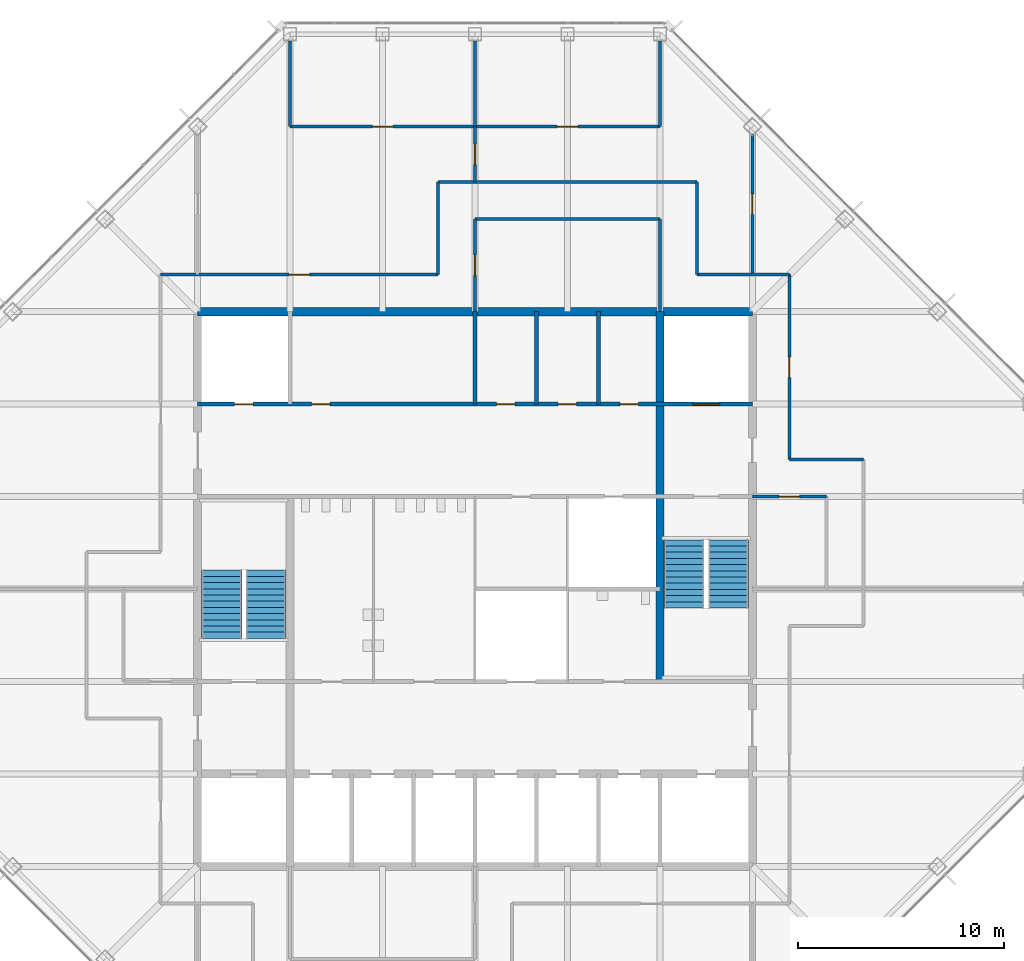
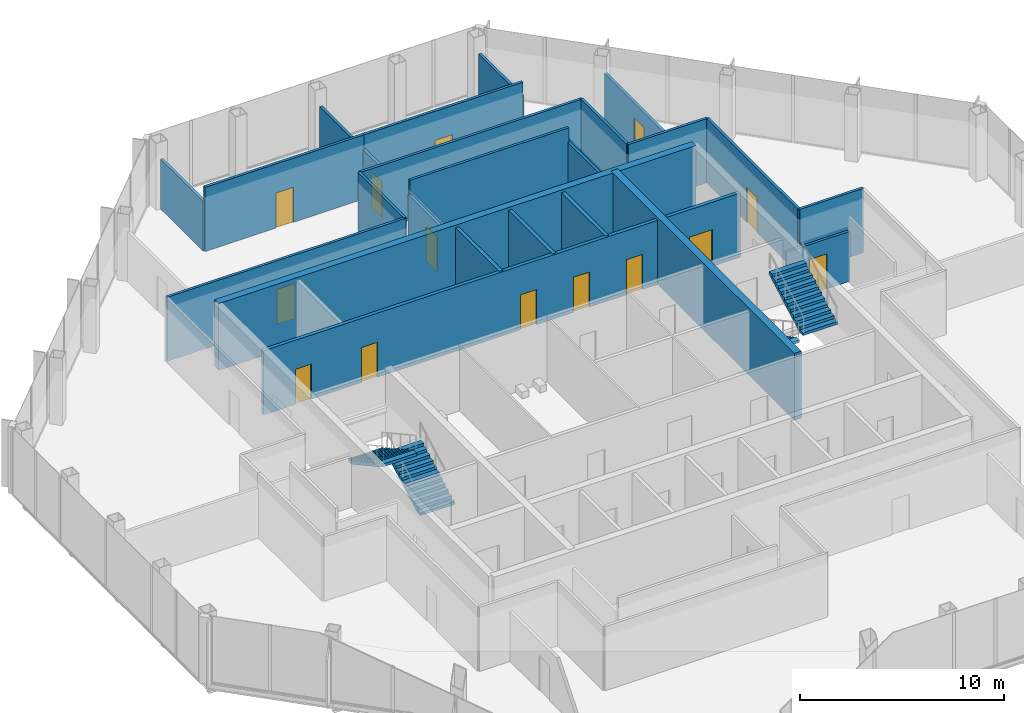
# One storey, part 11 of 13: 24 walls, 14 doors, 4 stair flights, 14 openings, 2 elements without a shape of their own.
"""IFC4 building model written with IfcOpenShell, lengths in metres."""

from ifc_helpers import new_model, si_unit, direction, frame, frame_2d, origin, place, context, subcontext, project, spatial, polyline, rectangle, outline, extrude, material, layer, layer_set, type_object, element, fill, aggregate, save


model = new_model("IFC4")

# Units and contexts
model_context = context("Model", 3, precision=1e-05, world=origin(), true_north=direction((0.0, 1.0)))
body_context = subcontext(model_context, "Body", "Model", "MODEL_VIEW")
ifc_project = project(units=[si_unit("LENGTHUNIT", "METRE"), si_unit("AREAUNIT", "SQUARE_METRE"), si_unit("VOLUMEUNIT", "CUBIC_METRE"), si_unit("PLANEANGLEUNIT", "RADIAN"), si_unit("MASSUNIT", "GRAM", prefix="KILO")], contexts=[model_context])

# Site, building, storey
site_placement = place(None, origin())
site = spatial("IfcSite", under=ifc_project, at=site_placement, CompositionType="ELEMENT")
building_placement = place(site_placement, origin())
building = spatial("IfcBuilding", under=site, at=building_placement, Name="Corais Broadcast Tower", CompositionType="ELEMENT")
storey_placement = place(building_placement, frame((0.0, 0.0, 238.60009765625)))
storey = spatial("IfcBuildingStorey", under=building, at=storey_placement, Name="L55", CompositionType="ELEMENT", Elevation=238.60009765625)

# Walls
ifc_material_1 = material(Name="Concrete C50/60", Category="concrete")
ifc_layer_1 = layer(ifc_material_1, 0.39990234375)
ifc_layer_set_1 = layer_set([ifc_layer_1], Name="Concrete C50/60")
wall_type_1 = type_object("IfcWallType", Name="Core wall 400", PredefinedType="SHEAR", material=ifc_layer_set_1)
wall_1_placement = place(storey_placement, frame((40.5, 40.5, 0.0), z_axis=(0.0, 0.0, 1.0), x_axis=(-1.0, 0.0, 0.0)))
element("IfcWall", 1, at=wall_1_placement, inside=storey, type_object=wall_type_1, Name="CR400 core wall N L55", PredefinedType="SHEAR", context=body_context, shape_type="SweptSolid", body=[
    extrude(rectangle(XDim=27.0, YDim=0.39990234375, at=frame_2d((13.5, 0.0))), origin(), (0.0, 0.0, 1.0), 4.0),
])
wall_2_placement = place(storey_placement, frame((36.0, 22.5, 0.0), z_axis=(0.0, 0.0, 1.0), x_axis=(0.0, 1.0, 0.0)))
element("IfcWall", 2, at=wall_2_placement, inside=storey, type_object=wall_type_1, Name="CR400 core wall X36B L55", PredefinedType="SHEAR", context=body_context, shape_type="SweptSolid", body=[
    extrude(rectangle(XDim=18.0, YDim=0.39990234375, at=frame_2d((9.0, 0.0))), origin(), (0.0, 0.0, 1.0), 4.0),
])

# Wall, openings, doors
ifc_material_2 = material(Name="Concrete blockwork class A, grouted, four-hour", Category="masonry")
ifc_layer_2 = layer(ifc_material_2, 0.199951171875)
ifc_layer_set_2 = layer_set([ifc_layer_2], Name="Concrete blockwork class A, grouted, four-hour")
wall_type_2 = type_object("IfcWallType", Name="Emergency lift shaft wall 200", PredefinedType="SOLIDWALL", material=ifc_layer_set_2)
wall_3_placement = place(storey_placement, frame((13.5, 36.0, 0.0), z_axis=(0.0, 0.0, 1.0), x_axis=(1.0, 0.0, 0.0)))
wall_3 = element("IfcWall", 3, at=wall_3_placement, inside=storey, type_object=wall_type_2, Name="LS3 core lobby wall Y36 L55", PredefinedType="SOLIDWALL", context=body_context, shape_type="SweptSolid", body=[
    extrude(rectangle(XDim=27.0, YDim=0.199951171875, at=frame_2d((13.5, 0.0))), origin(), (0.0, 0.0, 1.0), 3.83984375),
])
opening_1_placement = place(wall_3_placement, frame((1.800048828125, 0.0, 0.0)))
opening_1 = element("IfcOpeningElement", 4, at=opening_1_placement, cuts=wall_3, Name="Opening RD1", PredefinedType="OPENING", context=body_context, shape_type="SweptSolid", body=[
    extrude(rectangle(XDim=0.89990234375, YDim=2.10009765625, at=frame_2d((0.449951171875, 1.050048828125))), frame((0.0, 0.10986328125, 0.0), z_axis=(0.0, -1.0, 0.0), x_axis=(1.0, 0.0, 0.0)), (0.0, 0.0, 1.0), 0.219970703125),
])
opening_2_placement = place(wall_3_placement, frame((5.550048828125, 0.0, 0.0)))
opening_2 = element("IfcOpeningElement", 5, at=opening_2_placement, cuts=wall_3, Name="Opening RD1", PredefinedType="OPENING", context=body_context, shape_type="SweptSolid", body=[
    extrude(rectangle(XDim=0.89990234375, YDim=2.10009765625, at=frame_2d((0.449951171875, 1.050048828125))), frame((0.0, 0.10986328125, 0.0), z_axis=(0.0, -1.0, 0.0), x_axis=(1.0, 0.0, 0.0)), (0.0, 0.0, 1.0), 0.219970703125),
])
opening_3_placement = place(wall_3_placement, frame((14.550048828125, 0.0, 0.0)))
opening_3 = element("IfcOpeningElement", 6, at=opening_3_placement, cuts=wall_3, Name="Opening RD1", PredefinedType="OPENING", context=body_context, shape_type="SweptSolid", body=[
    extrude(rectangle(XDim=0.89990234375, YDim=2.10009765625, at=frame_2d((0.449951171875, 1.050048828125))), frame((0.0, 0.10986328125, 0.0), z_axis=(0.0, -1.0, 0.0), x_axis=(1.0, 0.0, 0.0)), (0.0, 0.0, 1.0), 0.219970703125),
])
opening_4_placement = place(wall_3_placement, frame((17.550048828125, 0.0, 0.0)))
opening_4 = element("IfcOpeningElement", 7, at=opening_4_placement, cuts=wall_3, Name="Opening RD1", PredefinedType="OPENING", context=body_context, shape_type="SweptSolid", body=[
    extrude(rectangle(XDim=0.89990234375, YDim=2.10009765625, at=frame_2d((0.449951171875, 1.050048828125))), frame((0.0, 0.10986328125, 0.0), z_axis=(0.0, -1.0, 0.0), x_axis=(1.0, 0.0, 0.0)), (0.0, 0.0, 1.0), 0.219970703125),
])
opening_5_placement = place(wall_3_placement, frame((20.550048828125, 0.0, 0.0)))
opening_5 = element("IfcOpeningElement", 8, at=opening_5_placement, cuts=wall_3, Name="Opening RD1", PredefinedType="OPENING", context=body_context, shape_type="SweptSolid", body=[
    extrude(rectangle(XDim=0.89990234375, YDim=2.10009765625, at=frame_2d((0.449951171875, 1.050048828125))), frame((0.0, 0.10986328125, 0.0), z_axis=(0.0, -1.0, 0.0), x_axis=(1.0, 0.0, 0.0)), (0.0, 0.0, 1.0), 0.219970703125),
])
opening_6_placement = place(wall_3_placement, frame((24.10009765625, 0.0, 0.0)))
opening_6 = element("IfcOpeningElement", 9, at=opening_6_placement, cuts=wall_3, Name="Opening LD2", PredefinedType="OPENING", context=body_context, shape_type="SweptSolid", body=[
    extrude(rectangle(XDim=1.300048828125, YDim=2.199951171875, at=frame_2d((0.64990234375, 1.10009765625))), frame((0.0, 0.10986328125, 0.0), z_axis=(0.0, -1.0, 0.0), x_axis=(1.0, 0.0, 0.0)), (0.0, 0.0, 1.0), 0.219970703125),
])
ifc_material_3 = material(Name="Stainless steel lift door", Category="steel")
door_type_1 = type_object("IfcDoorType", Name="Lift landing door 1300x2200", OperationType="SLIDING_TO_LEFT", PredefinedType="DOOR", material=ifc_material_3)
door_1_placement = place(opening_6_placement, origin())
door_1 = element("IfcDoor", 10, at=door_1_placement, inside=storey, type_object=door_type_1, Name="LD2 FL2 landing door L55", OperationType="SLIDING_TO_LEFT", OverallHeight=2.199951171875, OverallWidth=1.300048828125, PredefinedType="DOOR", context=body_context, shape_type="SweptSolid", body=[
    extrude(rectangle(XDim=1.300048828125, YDim=2.199951171875, at=frame_2d((0.64990234375, 1.10009765625))), frame((0.0, 0.02490234375, 0.0), z_axis=(0.0, -1.0, 0.0), x_axis=(1.0, 0.0, 0.0)), (0.0, 0.0, 1.0), 0.050048828125),
])
fill(opening_6, door_1)
ifc_material_4 = material(Name="Steel fire door", Category="steel")
door_type_2 = type_object("IfcDoorType", Name="Riser door 900x2100", OperationType="SINGLE_SWING_LEFT", PredefinedType="DOOR", material=ifc_material_4)
door_2_placement = place(opening_1_placement, origin())
door_2 = element("IfcDoor", 11, at=door_2_placement, inside=storey, type_object=door_type_2, Name="RD1 riser door L55", OperationType="SINGLE_SWING_LEFT", OverallHeight=2.10009765625, OverallWidth=0.89990234375, PredefinedType="DOOR", context=body_context, shape_type="SweptSolid", body=[
    extrude(rectangle(XDim=0.89990234375, YDim=2.10009765625, at=frame_2d((0.449951171875, 1.050048828125))), frame((0.0, 0.02490234375, 0.0), z_axis=(0.0, -1.0, 0.0), x_axis=(1.0, 0.0, 0.0)), (0.0, 0.0, 1.0), 0.050048828125),
])
fill(opening_1, door_2)
door_3_placement = place(opening_2_placement, origin())
door_3 = element("IfcDoor", 12, at=door_3_placement, inside=storey, type_object=door_type_2, Name="RD1 print room door L55", OperationType="SINGLE_SWING_LEFT", OverallHeight=2.10009765625, OverallWidth=0.89990234375, PredefinedType="DOOR", context=body_context, shape_type="SweptSolid", body=[
    extrude(rectangle(XDim=0.89990234375, YDim=2.10009765625, at=frame_2d((0.449951171875, 1.050048828125))), frame((0.0, 0.02490234375, 0.0), z_axis=(0.0, -1.0, 0.0), x_axis=(1.0, 0.0, 0.0)), (0.0, 0.0, 1.0), 0.050048828125),
])
fill(opening_2, door_3)
door_4_placement = place(opening_3_placement, origin())
door_4 = element("IfcDoor", 13, at=door_4_placement, inside=storey, type_object=door_type_2, Name="RD1 wellness room door L55", OperationType="SINGLE_SWING_RIGHT", OverallHeight=2.10009765625, OverallWidth=0.89990234375, PredefinedType="DOOR", context=body_context, shape_type="SweptSolid", body=[
    extrude(rectangle(XDim=0.89990234375, YDim=2.10009765625, at=frame_2d((0.449951171875, 1.050048828125))), frame((0.0, 0.02490234375, 0.0), z_axis=(0.0, -1.0, 0.0), x_axis=(1.0, 0.0, 0.0)), (0.0, 0.0, 1.0), 0.050048828125),
])
fill(opening_3, door_4)
door_5_placement = place(opening_4_placement, origin())
door_5 = element("IfcDoor", 14, at=door_5_placement, inside=storey, type_object=door_type_2, Name="RD1 first aid room door L55", OperationType="SINGLE_SWING_RIGHT", OverallHeight=2.10009765625, OverallWidth=0.89990234375, PredefinedType="DOOR", context=body_context, shape_type="SweptSolid", body=[
    extrude(rectangle(XDim=0.89990234375, YDim=2.10009765625, at=frame_2d((0.449951171875, 1.050048828125))), frame((0.0, 0.02490234375, 0.0), z_axis=(0.0, -1.0, 0.0), x_axis=(1.0, 0.0, 0.0)), (0.0, 0.0, 1.0), 0.050048828125),
])
fill(opening_4, door_5)
door_6_placement = place(opening_5_placement, origin())
door_6 = element("IfcDoor", 15, at=door_6_placement, inside=storey, type_object=door_type_2, Name="RD1 stationery store door L55", OperationType="SINGLE_SWING_RIGHT", OverallHeight=2.10009765625, OverallWidth=0.89990234375, PredefinedType="DOOR", context=body_context, shape_type="SweptSolid", body=[
    extrude(rectangle(XDim=0.89990234375, YDim=2.10009765625, at=frame_2d((0.449951171875, 1.050048828125))), frame((0.0, 0.02490234375, 0.0), z_axis=(0.0, -1.0, 0.0), x_axis=(1.0, 0.0, 0.0)), (0.0, 0.0, 1.0), 0.050048828125),
])
fill(opening_5, door_6)

# Wall, opening, door
ifc_material_5 = material(Name="Gypsum board on steel studs", Category="steel")
ifc_layer_3 = layer(ifc_material_5, 0.14990234375)
ifc_layer_set_3 = layer_set([ifc_layer_3], Name="Gypsum board on steel studs")
wall_type_3 = type_object("IfcWallType", Name="Partition 150", PredefinedType="PARTITIONING", material=ifc_layer_set_3)
wall_4_placement = place(storey_placement, frame((25.199951171875, 42.300048828125, 0.0), z_axis=(0.0, 0.0, 1.0), x_axis=(-1.0, 0.0, 0.0)))
wall_4 = element("IfcWall", 16, at=wall_4_placement, inside=storey, type_object=wall_type_3, Name="IW3 corridor wall L55", PredefinedType="PARTITIONING", context=body_context, shape_type="SweptSolid", body=[
    extrude(rectangle(XDim=13.5, YDim=0.14990234375, at=frame_2d((6.75, 0.0))), origin(), (0.0, 0.0, 1.0), 3.83984375),
])
opening_7_placement = place(wall_4_placement, frame((6.25, 0.0, 0.0)))
opening_7 = element("IfcOpeningElement", 17, at=opening_7_placement, cuts=wall_4, Name="Opening D1", PredefinedType="OPENING", context=body_context, shape_type="SweptSolid", body=[
    extrude(rectangle(XDim=1.0, YDim=2.10009765625, at=frame_2d((0.5, 1.050048828125))), frame((0.0, 0.0849609375, 0.0), z_axis=(0.0, -1.0, 0.0), x_axis=(1.0, 0.0, 0.0)), (0.0, 0.0, 1.0), 0.169921875),
])
ifc_material_6 = material(Name="Timber door", Category="wood")
door_type_3 = type_object("IfcDoorType", Name="Single door 1000x2100", OperationType="SINGLE_SWING_LEFT", PredefinedType="DOOR", material=ifc_material_6)
door_7_placement = place(opening_7_placement, origin())
door_7 = element("IfcDoor", 18, at=door_7_placement, inside=storey, type_object=door_type_3, Name="D1 workplace door L55", OperationType="SINGLE_SWING_LEFT", OverallHeight=2.10009765625, OverallWidth=1.0, PredefinedType="DOOR", context=body_context, shape_type="SweptSolid", body=[
    extrude(rectangle(XDim=1.0, YDim=2.10009765625, at=frame_2d((0.5, 1.050048828125))), frame((0.0, 0.02490234375, 0.0), z_axis=(0.0, -1.0, 0.0), x_axis=(1.0, 0.0, 0.0)), (0.0, 0.0, 1.0), 0.050048828125),
])
fill(opening_7, door_7)

# Wall
wall_5_placement = place(storey_placement, frame((37.800048828125, 46.800048828125, 0.0), z_axis=(0.0, 0.0, 1.0), x_axis=(-1.0, 0.0, 0.0)))
element("IfcWall", 19, at=wall_5_placement, inside=storey, type_object=wall_type_3, Name="IW3 corridor wall L55", PredefinedType="PARTITIONING", context=body_context, shape_type="SweptSolid", body=[
    extrude(rectangle(XDim=12.60009765625, YDim=0.14990234375, at=frame_2d((6.300048828125, 0.0))), origin(), (0.0, 0.0, 1.0), 3.83984375),
])

# Wall, opening, door
wall_6_placement = place(storey_placement, frame((42.300048828125, 33.300048828125, 0.0), z_axis=(0.0, 0.0, 1.0), x_axis=(0.0, 1.0, 0.0)))
wall_6 = element("IfcWall", 20, at=wall_6_placement, inside=storey, type_object=wall_type_3, Name="IW3 corridor wall L55", PredefinedType="PARTITIONING", context=body_context, shape_type="SweptSolid", body=[
    extrude(rectangle(XDim=9.0, YDim=0.14990234375, at=frame_2d((4.5, 0.0))), origin(), (0.0, 0.0, 1.0), 3.83984375),
])
opening_8_placement = place(wall_6_placement, frame((4.0, 0.0, 0.0)))
opening_8 = element("IfcOpeningElement", 21, at=opening_8_placement, cuts=wall_6, Name="Opening D1", PredefinedType="OPENING", context=body_context, shape_type="SweptSolid", body=[
    extrude(rectangle(XDim=1.0, YDim=2.10009765625, at=frame_2d((0.5, 1.050048828125))), frame((0.0, 0.0849609375, 0.0), z_axis=(0.0, -1.0, 0.0), x_axis=(1.0, 0.0, 0.0)), (0.0, 0.0, 1.0), 0.169921875),
])
door_8_placement = place(opening_8_placement, origin())
door_8 = element("IfcDoor", 22, at=door_8_placement, inside=storey, type_object=door_type_3, Name="D1 workplace door L55", OperationType="SINGLE_SWING_LEFT", OverallHeight=2.10009765625, OverallWidth=1.0, PredefinedType="DOOR", context=body_context, shape_type="SweptSolid", body=[
    extrude(rectangle(XDim=1.0, YDim=2.10009765625, at=frame_2d((0.5, 1.050048828125))), frame((0.0, 0.02490234375, 0.0), z_axis=(0.0, -1.0, 0.0), x_axis=(1.0, 0.0, 0.0)), (0.0, 0.0, 1.0), 0.050048828125),
])
fill(opening_8, door_8)

# Walls
for number, where, z_axis, x_axis, name in (
    (23, (25.199951171875, 46.800048828125, 0.0), (0.0, 0.0, 1.0), (0.0, -1.0, 0.0), "IW3 corridor wall L55"),
    (24, (37.800048828125, 42.300048828125, 0.0), (0.0, 0.0, 1.0), (0.0, 1.0, 0.0), "IW3 corridor wall L55"),
    (25, (42.300048828125, 42.300048828125, 0.0), (0.0, 0.0, 1.0), (-1.0, 0.0, 0.0), "IW3 corridor wall L55"),
):
    element("IfcWall", number, at=place(storey_placement, frame(where, z_axis=z_axis, x_axis=x_axis)), inside=storey, type_object=wall_type_3, Name=name, PredefinedType="PARTITIONING", context=body_context, shape_type="SweptSolid", body=[
        extrude(rectangle(XDim=4.5, YDim=0.14990234375, at=frame_2d((2.25, 0.0))), origin(), (0.0, 0.0, 1.0), 3.83984375),
    ])
wall_7_placement = place(storey_placement, frame((45.89990234375, 33.300048828125, 0.0), z_axis=(0.0, 0.0, 1.0), x_axis=(-1.0, 0.0, 0.0)))
element("IfcWall", 26, at=wall_7_placement, inside=storey, type_object=wall_type_3, Name="IW3 corridor wall L55", PredefinedType="PARTITIONING", context=body_context, shape_type="SweptSolid", body=[
    extrude(rectangle(XDim=3.599853515625, YDim=0.14990234375, at=frame_2d((1.7998046875, 0.0))), origin(), (0.0, 0.0, 1.0), 3.83984375),
])
wall_8_placement = place(storey_placement, frame((36.0, 40.5, 0.0), z_axis=(0.0, 0.0, 1.0), x_axis=(0.0, 1.0, 0.0)))
element("IfcWall", 27, at=wall_8_placement, inside=storey, type_object=wall_type_3, Name="IW3 partition L55", PredefinedType="PARTITIONING", context=body_context, shape_type="SweptSolid", body=[
    extrude(rectangle(XDim=4.5, YDim=0.14990234375, at=frame_2d((2.25, 0.0))), origin(), (0.0, 0.0, 1.0), 2.989013671875),
])
wall_9_placement = place(storey_placement, frame((36.0, 45.0, 0.0), z_axis=(0.0, 0.0, 1.0), x_axis=(-1.0, 0.0, 0.0)))
element("IfcWall", 28, at=wall_9_placement, inside=storey, type_object=wall_type_3, Name="IW3 partition L55", PredefinedType="PARTITIONING", context=body_context, shape_type="SweptSolid", body=[
    extrude(rectangle(XDim=9.0, YDim=0.14990234375, at=frame_2d((4.5, 0.0))), origin(), (0.0, 0.0, 1.0), 3.83984375),
])

# Wall, opening, door
wall_10_placement = place(storey_placement, frame((27.0, 45.0, 0.0), z_axis=(0.0, 0.0, 1.0), x_axis=(0.0, -1.0, 0.0)))
wall_10 = element("IfcWall", 29, at=wall_10_placement, inside=storey, type_object=wall_type_3, Name="IW3 partition L55", PredefinedType="PARTITIONING", context=body_context, shape_type="SweptSolid", body=[
    extrude(rectangle(XDim=4.5, YDim=0.14990234375, at=frame_2d((2.25, 0.0))), origin(), (0.0, 0.0, 1.0), 2.989013671875),
])
opening_9_placement = place(wall_10_placement, frame((1.75, 0.0, 0.0)))
opening_9 = element("IfcOpeningElement", 30, at=opening_9_placement, cuts=wall_10, Name="Opening D1", PredefinedType="OPENING", context=body_context, shape_type="SweptSolid", body=[
    extrude(rectangle(XDim=1.0, YDim=2.10009765625, at=frame_2d((0.5, 1.050048828125))), frame((0.0, 0.0849609375, 0.0), z_axis=(0.0, -1.0, 0.0), x_axis=(1.0, 0.0, 0.0)), (0.0, 0.0, 1.0), 0.169921875),
])
door_9_placement = place(opening_9_placement, origin())
door_9 = element("IfcDoor", 31, at=door_9_placement, inside=storey, type_object=door_type_3, Name="D1 Meeting room door", OperationType="SINGLE_SWING_LEFT", OverallHeight=2.10009765625, OverallWidth=1.0, PredefinedType="DOOR", context=body_context, shape_type="SweptSolid", body=[
    extrude(rectangle(XDim=1.0, YDim=2.10009765625, at=frame_2d((0.5, 1.050048828125))), frame((0.0, 0.02490234375, 0.0), z_axis=(0.0, -1.0, 0.0), x_axis=(1.0, 0.0, 0.0)), (0.0, 0.0, 1.0), 0.050048828125),
])
fill(opening_9, door_9)

wall_11_placement = place(storey_placement, frame((44.10009765625, 31.5, 0.0), z_axis=(0.0, 0.0, 1.0), x_axis=(-1.0, 0.0, 0.0)))
wall_11 = element("IfcWall", 32, at=wall_11_placement, inside=storey, type_object=wall_type_3, Name="IW3 partition L55", PredefinedType="PARTITIONING", context=body_context, shape_type="SweptSolid", body=[
    extrude(rectangle(XDim=3.60009765625, YDim=0.14990234375, at=frame_2d((1.800048828125, 0.0))), origin(), (0.0, 0.0, 1.0), 2.989013671875),
])
opening_10_placement = place(wall_11_placement, frame((1.300048828125, 0.0, 0.0)))
opening_10 = element("IfcOpeningElement", 33, at=opening_10_placement, cuts=wall_11, Name="Opening D1", PredefinedType="OPENING", context=body_context, shape_type="SweptSolid", body=[
    extrude(rectangle(XDim=1.0, YDim=2.10009765625, at=frame_2d((0.5, 1.050048828125))), frame((0.0, 0.0849609375, 0.0), z_axis=(0.0, -1.0, 0.0), x_axis=(1.0, 0.0, 0.0)), (0.0, 0.0, 1.0), 0.169921875),
])
door_10_placement = place(opening_10_placement, origin())
door_10 = element("IfcDoor", 34, at=door_10_placement, inside=storey, type_object=door_type_3, Name="D1 Pantry door", OperationType="SINGLE_SWING_LEFT", OverallHeight=2.10009765625, OverallWidth=1.0, PredefinedType="DOOR", context=body_context, shape_type="SweptSolid", body=[
    extrude(rectangle(XDim=1.0, YDim=2.10009765625, at=frame_2d((0.5, 1.050048828125))), frame((0.0, 0.02490234375, 0.0), z_axis=(0.0, -1.0, 0.0), x_axis=(1.0, 0.0, 0.0)), (0.0, 0.0, 1.0), 0.050048828125),
])
fill(opening_10, door_10)

wall_12_placement = place(storey_placement, frame((18.0, 49.5, 0.0), z_axis=(0.0, 0.0, 1.0), x_axis=(1.0, 0.0, 0.0)))
wall_12 = element("IfcWall", 35, at=wall_12_placement, inside=storey, type_object=wall_type_3, Name="IW3 partition L55", PredefinedType="PARTITIONING", context=body_context, shape_type="SweptSolid", body=[
    extrude(rectangle(XDim=9.0, YDim=0.14990234375, at=frame_2d((4.5, 0.0))), origin(), (0.0, 0.0, 1.0), 3.83984375),
])
opening_11_placement = place(wall_12_placement, frame((4.0, 0.0, 0.0)))
opening_11 = element("IfcOpeningElement", 36, at=opening_11_placement, cuts=wall_12, Name="Opening D1", PredefinedType="OPENING", context=body_context, shape_type="SweptSolid", body=[
    extrude(rectangle(XDim=1.0, YDim=2.10009765625, at=frame_2d((0.5, 1.050048828125))), frame((0.0, 0.0849609375, 0.0), z_axis=(0.0, -1.0, 0.0), x_axis=(1.0, 0.0, 0.0)), (0.0, 0.0, 1.0), 0.169921875),
])
door_11_placement = place(opening_11_placement, origin())
door_11 = element("IfcDoor", 37, at=door_11_placement, inside=storey, type_object=door_type_3, Name="D1 Office door", OperationType="SINGLE_SWING_LEFT", OverallHeight=2.10009765625, OverallWidth=1.0, PredefinedType="DOOR", context=body_context, shape_type="SweptSolid", body=[
    extrude(rectangle(XDim=1.0, YDim=2.10009765625, at=frame_2d((0.5, 1.050048828125))), frame((0.0, 0.02490234375, 0.0), z_axis=(0.0, -1.0, 0.0), x_axis=(1.0, 0.0, 0.0)), (0.0, 0.0, 1.0), 0.050048828125),
])
fill(opening_11, door_11)

# Walls
for number, where, z_axis, x_axis, name in (
    (38, (27.0, 49.5, 0.0), (0.0, 0.0, 1.0), (0.0, 1.0, 0.0), "IW3 partition L55"),
    (39, (18.0, 53.6650390625, 0.0), (0.0, 0.0, 1.0), (0.0, -1.0, 0.0), "IW3 partition L55"),
):
    element("IfcWall", number, at=place(storey_placement, frame(where, z_axis=z_axis, x_axis=x_axis)), inside=storey, type_object=wall_type_3, Name=name, PredefinedType="PARTITIONING", context=body_context, shape_type="SweptSolid", body=[
        extrude(rectangle(XDim=4.1650390625, YDim=0.14990234375, at=frame_2d((2.08251953125, 0.0))), origin(), (0.0, 0.0, 1.0), 2.989013671875),
    ])

# Wall, opening, door
wall_13_placement = place(storey_placement, frame((27.0, 49.5, 0.0), z_axis=(0.0, 0.0, 1.0), x_axis=(1.0, 0.0, 0.0)))
wall_13 = element("IfcWall", 40, at=wall_13_placement, inside=storey, type_object=wall_type_3, Name="IW3 partition L55", PredefinedType="PARTITIONING", context=body_context, shape_type="SweptSolid", body=[
    extrude(rectangle(XDim=9.0, YDim=0.14990234375, at=frame_2d((4.5, 0.0))), origin(), (0.0, 0.0, 1.0), 3.83984375),
])
opening_12_placement = place(wall_13_placement, frame((4.0, 0.0, 0.0)))
opening_12 = element("IfcOpeningElement", 41, at=opening_12_placement, cuts=wall_13, Name="Opening D1", PredefinedType="OPENING", context=body_context, shape_type="SweptSolid", body=[
    extrude(rectangle(XDim=1.0, YDim=2.10009765625, at=frame_2d((0.5, 1.050048828125))), frame((0.0, 0.0849609375, 0.0), z_axis=(0.0, -1.0, 0.0), x_axis=(1.0, 0.0, 0.0)), (0.0, 0.0, 1.0), 0.169921875),
])
door_12_placement = place(opening_12_placement, origin())
door_12 = element("IfcDoor", 42, at=door_12_placement, inside=storey, type_object=door_type_3, Name="D1 Office door", OperationType="SINGLE_SWING_LEFT", OverallHeight=2.10009765625, OverallWidth=1.0, PredefinedType="DOOR", context=body_context, shape_type="SweptSolid", body=[
    extrude(rectangle(XDim=1.0, YDim=2.10009765625, at=frame_2d((0.5, 1.050048828125))), frame((0.0, 0.02490234375, 0.0), z_axis=(0.0, -1.0, 0.0), x_axis=(1.0, 0.0, 0.0)), (0.0, 0.0, 1.0), 0.050048828125),
])
fill(opening_12, door_12)

# Wall
wall_14_placement = place(storey_placement, frame((36.0, 49.5, 0.0), z_axis=(0.0, 0.0, 1.0), x_axis=(0.0, 1.0, 0.0)))
element("IfcWall", 43, at=wall_14_placement, inside=storey, type_object=wall_type_3, Name="IW3 partition L55", PredefinedType="PARTITIONING", context=body_context, shape_type="SweptSolid", body=[
    extrude(rectangle(XDim=4.1650390625, YDim=0.14990234375, at=frame_2d((2.08251953125, 0.0))), origin(), (0.0, 0.0, 1.0), 2.989013671875),
])

# Wall, opening, door
wall_15_placement = place(storey_placement, frame((27.0, 49.5, 0.0), z_axis=(0.0, 0.0, 1.0), x_axis=(0.0, -1.0, 0.0)))
wall_15 = element("IfcWall", 44, at=wall_15_placement, inside=storey, type_object=wall_type_3, Name="IW3 partition L55", PredefinedType="PARTITIONING", context=body_context, shape_type="SweptSolid", body=[
    extrude(rectangle(XDim=2.699951171875, YDim=0.14990234375, at=frame_2d((1.35009765625, 0.0))), origin(), (0.0, 0.0, 1.0), 2.989013671875),
])
opening_13_placement = place(wall_15_placement, frame((0.85009765625, 0.0, 0.0)))
opening_13 = element("IfcOpeningElement", 45, at=opening_13_placement, cuts=wall_15, Name="Opening D1", PredefinedType="OPENING", context=body_context, shape_type="SweptSolid", body=[
    extrude(rectangle(XDim=1.0, YDim=2.10009765625, at=frame_2d((0.5, 1.050048828125))), frame((0.0, 0.0849609375, 0.0), z_axis=(0.0, -1.0, 0.0), x_axis=(1.0, 0.0, 0.0)), (0.0, 0.0, 1.0), 0.169921875),
])
door_13_placement = place(opening_13_placement, origin())
door_13 = element("IfcDoor", 46, at=door_13_placement, inside=storey, type_object=door_type_3, Name="D1 team room door L55", OperationType="SINGLE_SWING_LEFT", OverallHeight=2.10009765625, OverallWidth=1.0, PredefinedType="DOOR", context=body_context, shape_type="SweptSolid", body=[
    extrude(rectangle(XDim=1.0, YDim=2.10009765625, at=frame_2d((0.5, 1.050048828125))), frame((0.0, 0.02490234375, 0.0), z_axis=(0.0, -1.0, 0.0), x_axis=(1.0, 0.0, 0.0)), (0.0, 0.0, 1.0), 0.050048828125),
])
fill(opening_13, door_13)

wall_16_placement = place(storey_placement, frame((40.5, 42.300048828125, 0.0), z_axis=(0.0, 0.0, 1.0), x_axis=(0.0, 1.0, 0.0)))
wall_16 = element("IfcWall", 47, at=wall_16_placement, inside=storey, type_object=wall_type_3, Name="IW3 partition L55", PredefinedType="PARTITIONING", context=body_context, shape_type="SweptSolid", body=[
    extrude(rectangle(XDim=6.85498046875, YDim=0.14990234375, at=frame_2d((3.427490234375, 0.0))), origin(), (0.0, 0.0, 1.0), 2.989013671875),
])
opening_14_placement = place(wall_16_placement, frame((2.927490234375, 0.0, 0.0)))
opening_14 = element("IfcOpeningElement", 48, at=opening_14_placement, cuts=wall_16, Name="Opening D1", PredefinedType="OPENING", context=body_context, shape_type="SweptSolid", body=[
    extrude(rectangle(XDim=1.0, YDim=2.10009765625, at=frame_2d((0.5, 1.050048828125))), frame((0.0, 0.0849609375, 0.0), z_axis=(0.0, -1.0, 0.0), x_axis=(1.0, 0.0, 0.0)), (0.0, 0.0, 1.0), 0.169921875),
])
door_14_placement = place(opening_14_placement, origin())
door_14 = element("IfcDoor", 49, at=door_14_placement, inside=storey, type_object=door_type_3, Name="D1 team room door L55", OperationType="SINGLE_SWING_LEFT", OverallHeight=2.10009765625, OverallWidth=1.0, PredefinedType="DOOR", context=body_context, shape_type="SweptSolid", body=[
    extrude(rectangle(XDim=1.0, YDim=2.10009765625, at=frame_2d((0.5, 1.050048828125))), frame((0.0, 0.02490234375, 0.0), z_axis=(0.0, -1.0, 0.0), x_axis=(1.0, 0.0, 0.0)), (0.0, 0.0, 1.0), 0.050048828125),
])
fill(opening_14, door_14)

# Walls
ifc_material_7 = material(Name="Concrete blockwork class A, grouted, two-hour", Category="masonry")
ifc_layer_4 = layer(ifc_material_7, 0.199951171875)
ifc_layer_set_4 = layer_set([ifc_layer_4], Name="Concrete blockwork class A, grouted, two-hour")
wall_type_4 = type_object("IfcWallType", Name="Shaft wall 200", PredefinedType="PARTITIONING", material=ifc_layer_set_4)
for number, where, z_axis, x_axis, name in (
    (50, (27.0, 36.0, 0.0), (0.0, 0.0, 1.0), (0.0, 1.0, 0.0), "IW1 shaft wall L55"),
    (51, (30.0, 36.0, 0.0), (0.0, 0.0, 1.0), (0.0, 1.0, 0.0), "IW1 shaft wall L55"),
    (52, (33.0, 36.0, 0.0), (0.0, 0.0, 1.0), (0.0, 1.0, 0.0), "IW1 shaft wall L55"),
):
    element("IfcWall", number, at=place(storey_placement, frame(where, z_axis=z_axis, x_axis=x_axis)), inside=storey, type_object=wall_type_4, Name=name, PredefinedType="PARTITIONING", context=body_context, shape_type="SweptSolid", body=[
        extrude(rectangle(XDim=4.5, YDim=0.199951171875, at=frame_2d((2.25, 0.0))), origin(), (0.0, 0.0, 1.0), 3.83984375),
    ])

# Stair, stair flights
ifc_material_8 = material(Name="Concrete C30/37", Category="concrete")
stair_type = type_object("IfcStairType", Name="Half-turn stair 4000", PredefinedType="HALF_TURN_STAIR", material=ifc_material_8)
stair_1_placement = place(storey_placement, origin())
stair_1 = element("IfcStair", 53, at=stair_1_placement, inside=storey, type_object=stair_type, Name="Stair A L55", PredefinedType="HALF_TURN_STAIR")
ifc_material_9 = material(Name="Concrete C30/37", Category="concrete")
stair_flight_type = type_object("IfcStairFlightType", Name="Stair flight 4000", PredefinedType="STRAIGHT", material=ifc_material_9)
stair_flight_1_placement = place(storey_placement, frame((16.824951171875, 24.60009765625, 0.0), z_axis=(0.0, 0.0, 1.0), x_axis=(0.0, 1.0, 0.0)))
stair_flight_1 = element("IfcStairFlight", 54, at=stair_flight_1_placement, type_object=stair_flight_type, Name="STA flight 1", NumberOfRisers=12, NumberOfTreads=11, PredefinedType="STRAIGHT", RiserHeight=0.166666667, TreadLength=0.302, context=body_context, shape_type="SweptSolid", body=[
    extrude(outline(polyline([(0.0, 0.0), (0.0, 0.166748046875), (0.302001953125, 0.166748046875), (0.302001953125, 0.333251953125), (0.60400390625, 0.333251953125), (0.60400390625, 0.5), (0.906005859375, 0.5), (0.906005859375, 0.666748046875), (1.2080078125, 0.666748046875), (1.2080078125, 0.833251953125), (1.510009765625, 0.833251953125), (1.510009765625, 1.0), (1.81201171875, 1.0), (1.81201171875, 1.166748046875), (2.114013671875, 1.166748046875), (2.114013671875, 1.333251953125), (2.416015625, 1.333251953125), (2.416015625, 1.5), (2.718017578125, 1.5), (2.718017578125, 1.666748046875), (3.02001953125, 1.666748046875), (3.02001953125, 1.833251953125), (3.322021484375, 1.833251953125), (3.322021484375, 2.0), (3.322021484375, 1.662109375), (0.310302734375, 0.0), (0.0, 0.0)])), frame((0.0, 0.97509765625, 0.0), z_axis=(0.0, -1.0, 0.0), x_axis=(1.0, 0.0, 0.0)), (0.0, 0.0, 1.0), 1.949951171875),
])
stair_flight_2_placement = place(storey_placement, frame((14.675048828125, 27.922119140625, 2.0), z_axis=(0.0, 0.0, 1.0), x_axis=(0.0, -1.0, 0.0)))
stair_flight_2 = element("IfcStairFlight", 55, at=stair_flight_2_placement, type_object=stair_flight_type, Name="STA flight 2", NumberOfRisers=12, NumberOfTreads=11, PredefinedType="STRAIGHT", RiserHeight=0.166666667, TreadLength=0.302, context=body_context, shape_type="SweptSolid", body=[
    extrude(outline(polyline([(0.0, 0.0), (0.0, 0.166748046875), (0.302001953125, 0.166748046875), (0.302001953125, 0.333251953125), (0.60400390625, 0.333251953125), (0.60400390625, 0.5), (0.906005859375, 0.5), (0.906005859375, 0.666748046875), (1.2080078125, 0.666748046875), (1.2080078125, 0.833251953125), (1.510009765625, 0.833251953125), (1.510009765625, 1.0), (1.81201171875, 1.0), (1.81201171875, 1.166748046875), (2.114013671875, 1.166748046875), (2.114013671875, 1.333251953125), (2.416015625, 1.333251953125), (2.416015625, 1.5), (2.718017578125, 1.5), (2.718017578125, 1.666748046875), (3.02001953125, 1.666748046875), (3.02001953125, 1.833251953125), (3.322021484375, 1.833251953125), (3.322021484375, 2.0), (3.322021484375, 1.662109375), (0.310302734375, 0.0), (0.0, 0.0)])), frame((0.0, 0.97509765625, 0.0), z_axis=(0.0, -1.0, 0.0), x_axis=(1.0, 0.0, 0.0)), (0.0, 0.0, 1.0), 1.949951171875),
])
aggregate(stair_1, [stair_flight_1, stair_flight_2])

stair_2_placement = place(storey_placement, origin())
stair_2 = element("IfcStair", 56, at=stair_2_placement, inside=storey, type_object=stair_type, Name="Stair B L55", PredefinedType="HALF_TURN_STAIR")
stair_flight_3_placement = place(storey_placement, frame((37.175048828125, 29.39990234375, 0.0), z_axis=(0.0, 0.0, 1.0), x_axis=(0.0, -1.0, 0.0)))
stair_flight_3 = element("IfcStairFlight", 57, at=stair_flight_3_placement, type_object=stair_flight_type, Name="STB flight 1", NumberOfRisers=12, NumberOfTreads=11, PredefinedType="STRAIGHT", RiserHeight=0.166666667, TreadLength=0.302, context=body_context, shape_type="SweptSolid", body=[
    extrude(outline(polyline([(0.0, 0.0), (0.0, 0.166748046875), (0.302001953125, 0.166748046875), (0.302001953125, 0.333251953125), (0.60400390625, 0.333251953125), (0.60400390625, 0.5), (0.906005859375, 0.5), (0.906005859375, 0.666748046875), (1.2080078125, 0.666748046875), (1.2080078125, 0.833251953125), (1.510009765625, 0.833251953125), (1.510009765625, 1.0), (1.81201171875, 1.0), (1.81201171875, 1.166748046875), (2.114013671875, 1.166748046875), (2.114013671875, 1.333251953125), (2.416015625, 1.333251953125), (2.416015625, 1.5), (2.718017578125, 1.5), (2.718017578125, 1.666748046875), (3.02001953125, 1.666748046875), (3.02001953125, 1.833251953125), (3.322021484375, 1.833251953125), (3.322021484375, 2.0), (3.322021484375, 1.662109375), (0.310302734375, 0.0), (0.0, 0.0)])), frame((0.0, 0.97509765625, 0.0), z_axis=(0.0, -1.0, 0.0), x_axis=(1.0, 0.0, 0.0)), (0.0, 0.0, 1.0), 1.949951171875),
])
stair_flight_4_placement = place(storey_placement, frame((39.324951171875, 26.077880859375, 2.0), z_axis=(0.0, 0.0, 1.0), x_axis=(0.0, 1.0, 0.0)))
stair_flight_4 = element("IfcStairFlight", 58, at=stair_flight_4_placement, type_object=stair_flight_type, Name="STB flight 2", NumberOfRisers=12, NumberOfTreads=11, PredefinedType="STRAIGHT", RiserHeight=0.166666667, TreadLength=0.302, context=body_context, shape_type="SweptSolid", body=[
    extrude(outline(polyline([(0.0, 0.0), (0.0, 0.166748046875), (0.302001953125, 0.166748046875), (0.302001953125, 0.333251953125), (0.60400390625, 0.333251953125), (0.60400390625, 0.5), (0.906005859375, 0.5), (0.906005859375, 0.666748046875), (1.2080078125, 0.666748046875), (1.2080078125, 0.833251953125), (1.510009765625, 0.833251953125), (1.510009765625, 1.0), (1.81201171875, 1.0), (1.81201171875, 1.166748046875), (2.114013671875, 1.166748046875), (2.114013671875, 1.333251953125), (2.416015625, 1.333251953125), (2.416015625, 1.5), (2.718017578125, 1.5), (2.718017578125, 1.666748046875), (3.02001953125, 1.666748046875), (3.02001953125, 1.833251953125), (3.322021484375, 1.833251953125), (3.322021484375, 2.0), (3.322021484375, 1.662109375), (0.310302734375, 0.0), (0.0, 0.0)])), frame((0.0, 0.97509765625, 0.0), z_axis=(0.0, -1.0, 0.0), x_axis=(1.0, 0.0, 0.0)), (0.0, 0.0, 1.0), 1.949951171875),
])
aggregate(stair_2, [stair_flight_3, stair_flight_4])

save(model, "model.ifc")
